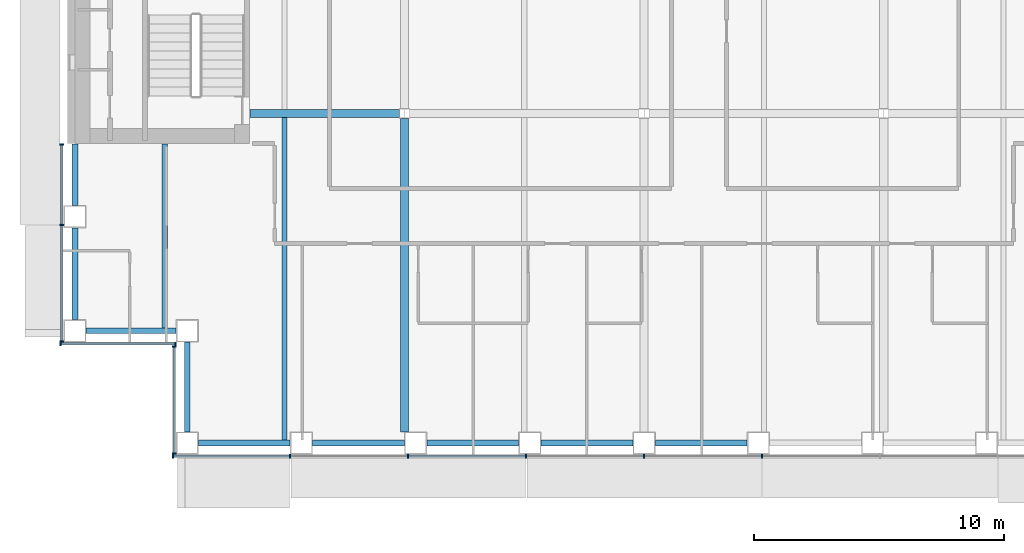
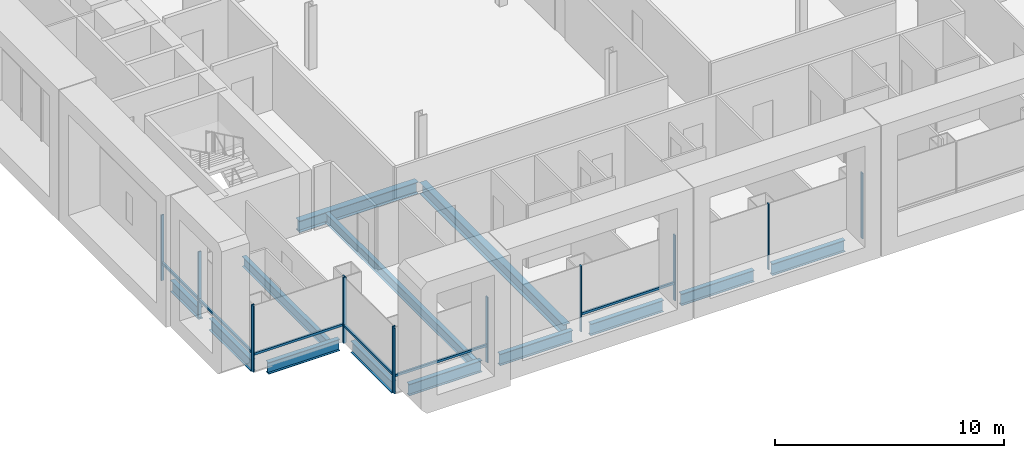
# One storey, part 2 of 20: 19 members, 13 beams, 4 elements without a shape of their own.
"""IFC4 building model written with IfcOpenShell, lengths in metres."""

from ifc_helpers import new_model, si_unit, direction, frame, origin, origin_2d, place, context, subcontext, project, spatial, rectangle, i_section, extrude, material, material_profile, profile_set, type_object, element, aggregate, save


model = new_model("IFC4")

# Units and contexts
model_context = context("Model", 3, precision=1e-05, world=origin(), true_north=direction((0.0, 1.0)))
body_context = subcontext(model_context, "Body", "Model", "MODEL_VIEW")
ifc_project = project(units=[si_unit("LENGTHUNIT", "METRE"), si_unit("AREAUNIT", "SQUARE_METRE"), si_unit("VOLUMEUNIT", "CUBIC_METRE"), si_unit("PLANEANGLEUNIT", "RADIAN"), si_unit("MASSUNIT", "GRAM", prefix="KILO")], contexts=[model_context])

# Site, building, storey
site_placement = place(None, origin())
site = spatial("IfcSite", under=ifc_project, at=site_placement, CompositionType="ELEMENT")
building_placement = place(site_placement, origin())
building = spatial("IfcBuilding", under=site, at=building_placement, Name="Cobrizo Arcos Hotel Tower", CompositionType="ELEMENT")
storey_placement = place(building_placement, frame((0.0, 0.0, 96.0)))
storey = spatial("IfcBuildingStorey", under=building, at=storey_placement, Name="L23", CompositionType="ELEMENT", Elevation=96.0)

# Curtain wall, members
ifc_material_1 = material(Name="Aluminium 6063-T6 anodised bronze", Category="aluminium")
curtain_wall_type = type_object("IfcCurtainWallType", Name="CW-A guest facade", PredefinedType="NOTDEFINED", material=ifc_material_1)
curtain_wall_1_placement = place(storey_placement, origin())
curtain_wall_1 = element("IfcCurtainWall", 1, at=curtain_wall_1_placement, inside=storey, type_object=curtain_wall_type, Name="CW-A L23 S face", PredefinedType="NOTDEFINED")
ifc_material_profile_1 = material_profile(ifc_material_1, rectangle(XDim=0.14990234375, YDim=0.06005859375, at=origin_2d()), Name="CW-A mullion 150x60")
ifc_profile_set_1 = profile_set([ifc_material_profile_1], Name="Aluminium 6063-T6 anodised bronze")
member_type_1 = type_object("IfcMemberType", Name="CW-A mullion 150x60", PredefinedType="MULLION", material=ifc_profile_set_1)
member_1_placement = place(storey_placement, frame((-18.8701171875, -23.324951171875, 0.0), z_axis=(0.0, 0.0, 1.0), x_axis=(0.0, -1.0, 0.0)))
member_1 = element("IfcMember", 2, at=member_1_placement, type_object=member_type_1, Name="CW-A mullion 1", PredefinedType="MULLION", context=body_context, shape_type="SweptSolid", body=[
    extrude(rectangle(XDim=0.14990234375, YDim=0.06005859375, at=origin_2d()), origin(), (0.0, 0.0, 1.0), 3.5),
])
member_2_placement = place(storey_placement, frame((-14.175048828125, -23.324951171875, 0.0), z_axis=(0.0, 0.0, 1.0), x_axis=(0.0, -1.0, 0.0)))
member_2 = element("IfcMember", 3, at=member_2_placement, type_object=member_type_1, Name="CW-A mullion 2", PredefinedType="MULLION", context=body_context, shape_type="SweptSolid", body=[
    extrude(rectangle(XDim=0.14990234375, YDim=0.06005859375, at=origin_2d()), origin(), (0.0, 0.0, 1.0), 3.5),
])
member_3_placement = place(storey_placement, frame((-9.449951171875, -23.324951171875, 0.0), z_axis=(0.0, 0.0, 1.0), x_axis=(0.0, -1.0, 0.0)))
member_3 = element("IfcMember", 4, at=member_3_placement, type_object=member_type_1, Name="CW-A mullion 3", PredefinedType="MULLION", context=body_context, shape_type="SweptSolid", body=[
    extrude(rectangle(XDim=0.14990234375, YDim=0.06005859375, at=origin_2d()), origin(), (0.0, 0.0, 1.0), 3.5),
])
member_4_placement = place(storey_placement, frame((-4.72509765625, -23.324951171875, 0.0), z_axis=(0.0, 0.0, 1.0), x_axis=(0.0, -1.0, 0.0)))
member_4 = element("IfcMember", 5, at=member_4_placement, type_object=member_type_1, Name="CW-A mullion 4", PredefinedType="MULLION", context=body_context, shape_type="SweptSolid", body=[
    extrude(rectangle(XDim=0.14990234375, YDim=0.06005859375, at=origin_2d()), origin(), (0.0, 0.0, 1.0), 3.5),
])
member_5_placement = place(storey_placement, frame((0.0, -23.324951171875, 0.0), z_axis=(0.0, 0.0, 1.0), x_axis=(0.0, -1.0, 0.0)))
member_5 = element("IfcMember", 6, at=member_5_placement, type_object=member_type_1, Name="CW-A mullion 5", PredefinedType="MULLION", context=body_context, shape_type="SweptSolid", body=[
    extrude(rectangle(XDim=0.14990234375, YDim=0.06005859375, at=origin_2d()), origin(), (0.0, 0.0, 1.0), 3.5),
])
member_6_placement = place(storey_placement, frame((4.72509765625, -23.324951171875, 0.0), z_axis=(0.0, 0.0, 1.0), x_axis=(0.0, -1.0, 0.0)))
member_6 = element("IfcMember", 7, at=member_6_placement, type_object=member_type_1, Name="CW-A mullion 6", PredefinedType="MULLION", context=body_context, shape_type="SweptSolid", body=[
    extrude(rectangle(XDim=0.14990234375, YDim=0.06005859375, at=origin_2d()), origin(), (0.0, 0.0, 1.0), 3.5),
])

curtain_wall_2_placement = place(storey_placement, origin())
curtain_wall_2 = element("IfcCurtainWall", 8, at=curtain_wall_2_placement, inside=storey, type_object=curtain_wall_type, Name="CW-A L23 W face", PredefinedType="NOTDEFINED")
member_7_placement = place(storey_placement, frame((-23.324951171875, -10.830078125, 0.0), z_axis=(0.0, 0.0, 1.0), x_axis=(-1.0, 0.0, 0.0)))
member_7 = element("IfcMember", 9, at=member_7_placement, type_object=member_type_1, Name="CW-A mullion 1", PredefinedType="MULLION", context=body_context, shape_type="SweptSolid", body=[
    extrude(rectangle(XDim=0.14990234375, YDim=0.06005859375, at=origin_2d()), origin(), (0.0, 0.0, 1.0), 3.5),
])
member_8_placement = place(storey_placement, frame((-23.324951171875, -14.0625, 0.0), z_axis=(0.0, 0.0, 1.0), x_axis=(-1.0, 0.0, 0.0)))
member_8 = element("IfcMember", 10, at=member_8_placement, type_object=member_type_1, Name="CW-A mullion 2", PredefinedType="MULLION", context=body_context, shape_type="SweptSolid", body=[
    extrude(rectangle(XDim=0.14990234375, YDim=0.06005859375, at=origin_2d()), origin(), (0.0, 0.0, 1.0), 3.5),
])
member_9_placement = place(storey_placement, frame((-23.324951171875, -18.719970703125, 0.0), z_axis=(0.0, 0.0, 1.0), x_axis=(-1.0, 0.0, 0.0)))
member_9 = element("IfcMember", 11, at=member_9_placement, type_object=member_type_1, Name="CW-A mullion 3", PredefinedType="MULLION", context=body_context, shape_type="SweptSolid", body=[
    extrude(rectangle(XDim=0.14990234375, YDim=0.06005859375, at=origin_2d()), origin(), (0.0, 0.0, 1.0), 3.5),
])

curtain_wall_3_placement = place(storey_placement, origin())
curtain_wall_3 = element("IfcCurtainWall", 12, at=curtain_wall_3_placement, inside=storey, type_object=curtain_wall_type, Name="CW-A L23 S face", PredefinedType="NOTDEFINED")
member_10_placement = place(storey_placement, frame((-23.3701171875, -18.824951171875, 0.0), z_axis=(0.0, 0.0, 1.0), x_axis=(0.0, -1.0, 0.0)))
member_10 = element("IfcMember", 13, at=member_10_placement, type_object=member_type_1, Name="CW-A mullion 1", PredefinedType="MULLION", context=body_context, shape_type="SweptSolid", body=[
    extrude(rectangle(XDim=0.14990234375, YDim=0.06005859375, at=origin_2d()), origin(), (0.0, 0.0, 1.0), 3.5),
])
member_11_placement = place(storey_placement, frame((-18.780029296875, -18.824951171875, 0.0), z_axis=(0.0, 0.0, 1.0), x_axis=(0.0, -1.0, 0.0)))
member_11 = element("IfcMember", 14, at=member_11_placement, type_object=member_type_1, Name="CW-A mullion 2", PredefinedType="MULLION", context=body_context, shape_type="SweptSolid", body=[
    extrude(rectangle(XDim=0.14990234375, YDim=0.06005859375, at=origin_2d()), origin(), (0.0, 0.0, 1.0), 3.5),
])

curtain_wall_4_placement = place(storey_placement, origin())
curtain_wall_4 = element("IfcCurtainWall", 15, at=curtain_wall_4_placement, inside=storey, type_object=curtain_wall_type, Name="CW-A L23 W face", PredefinedType="NOTDEFINED")
member_12_placement = place(storey_placement, frame((-18.824951171875, -18.929931640625, 0.0), z_axis=(0.0, 0.0, 1.0), x_axis=(-1.0, 0.0, 0.0)))
member_12 = element("IfcMember", 16, at=member_12_placement, type_object=member_type_1, Name="CW-A mullion 1", PredefinedType="MULLION", context=body_context, shape_type="SweptSolid", body=[
    extrude(rectangle(XDim=0.14990234375, YDim=0.06005859375, at=origin_2d()), origin(), (0.0, 0.0, 1.0), 3.5),
])
member_13_placement = place(storey_placement, frame((-18.824951171875, -23.219970703125, 0.0), z_axis=(0.0, 0.0, 1.0), x_axis=(-1.0, 0.0, 0.0)))
member_13 = element("IfcMember", 17, at=member_13_placement, type_object=member_type_1, Name="CW-A mullion 2", PredefinedType="MULLION", context=body_context, shape_type="SweptSolid", body=[
    extrude(rectangle(XDim=0.14990234375, YDim=0.06005859375, at=origin_2d()), origin(), (0.0, 0.0, 1.0), 3.5),
])

# Member
ifc_material_profile_2 = material_profile(ifc_material_1, rectangle(XDim=0.10009765625, YDim=0.1201171875, at=origin_2d()), Name="CW-A transom 120x100")
ifc_profile_set_2 = profile_set([ifc_material_profile_2], Name="Aluminium 6063-T6 anodised bronze")
member_type_2 = type_object("IfcMemberType", Name="CW-A transom 120x100", PredefinedType="USERDEFINED", material=ifc_profile_set_2)
member_14_placement = place(storey_placement, frame((-18.840087890625, -23.324951171875, 0.929931640625), z_axis=(1.0, 0.0, 0.0), x_axis=(0.0, 1.0, 0.0)))
member_14 = element("IfcMember", 18, at=member_14_placement, type_object=member_type_2, Name="CW-A transom 915", ObjectType="TRANSOM", PredefinedType="USERDEFINED", context=body_context, shape_type="SweptSolid", body=[
    extrude(rectangle(XDim=0.10009765625, YDim=0.1201171875, at=origin_2d()), origin(), (0.0, 0.0, 1.0), 4.635009765625),
])

member_15_placement = place(storey_placement, frame((-9.419921875, -23.324951171875, 0.929931640625), z_axis=(1.0, 0.0, 0.0), x_axis=(0.0, 1.0, 0.0)))
member_15 = element("IfcMember", 19, at=member_15_placement, type_object=member_type_2, Name="CW-A transom 917", ObjectType="TRANSOM", PredefinedType="USERDEFINED", context=body_context, shape_type="SweptSolid", body=[
    extrude(rectangle(XDim=0.10009765625, YDim=0.1201171875, at=origin_2d()), origin(), (0.0, 0.0, 1.0), 4.6650390625),
])

aggregate(curtain_wall_1, [member_1, member_2, member_3, member_4, member_5, member_6, member_14, member_15])

member_16_placement = place(storey_placement, frame((-23.324951171875, -10.860107421875, 0.929931640625), z_axis=(0.0, -1.0, 0.0), x_axis=(1.0, 0.0, 0.0)))
member_16 = element("IfcMember", 20, at=member_16_placement, type_object=member_type_2, Name="CW-A transom 943", ObjectType="TRANSOM", PredefinedType="USERDEFINED", context=body_context, shape_type="SweptSolid", body=[
    extrude(rectangle(XDim=0.10009765625, YDim=0.1201171875, at=origin_2d()), origin(), (0.0, 0.0, 1.0), 3.17236328125),
])

member_17_placement = place(storey_placement, frame((-23.324951171875, -14.092529296875, 0.929931640625), z_axis=(0.0, -1.0, 0.0), x_axis=(1.0, 0.0, 0.0)))
member_17 = element("IfcMember", 21, at=member_17_placement, type_object=member_type_2, Name="CW-A transom 944", ObjectType="TRANSOM", PredefinedType="USERDEFINED", context=body_context, shape_type="SweptSolid", body=[
    extrude(rectangle(XDim=0.10009765625, YDim=0.1201171875, at=origin_2d()), origin(), (0.0, 0.0, 1.0), 4.597412109375),
])

aggregate(curtain_wall_2, [member_7, member_8, member_9, member_16, member_17])

member_18_placement = place(storey_placement, frame((-23.340087890625, -18.824951171875, 0.929931640625), z_axis=(1.0, 0.0, 0.0), x_axis=(0.0, 1.0, 0.0)))
member_18 = element("IfcMember", 22, at=member_18_placement, type_object=member_type_2, Name="CW-A transom 945", ObjectType="TRANSOM", PredefinedType="USERDEFINED", context=body_context, shape_type="SweptSolid", body=[
    extrude(rectangle(XDim=0.10009765625, YDim=0.1201171875, at=origin_2d()), origin(), (0.0, 0.0, 1.0), 4.530029296875),
])

aggregate(curtain_wall_3, [member_10, member_11, member_18])

member_19_placement = place(storey_placement, frame((-18.824951171875, -18.9599609375, 0.929931640625), z_axis=(0.0, -1.0, 0.0), x_axis=(1.0, 0.0, 0.0)))
member_19 = element("IfcMember", 23, at=member_19_placement, type_object=member_type_2, Name="CW-A transom 946", ObjectType="TRANSOM", PredefinedType="USERDEFINED", context=body_context, shape_type="SweptSolid", body=[
    extrude(rectangle(XDim=0.10009765625, YDim=0.1201171875, at=origin_2d()), origin(), (0.0, 0.0, 1.0), 4.22998046875),
])

aggregate(curtain_wall_4, [member_12, member_13, member_19])

# Beams
ifc_material_2 = material(Name="Steel ASTM A992 Grade 50", Category="steel")
ifc_material_profile_3 = material_profile(ifc_material_2, i_section(OverallWidth=0.209228515625, OverallDepth=0.533447265625, WebThickness=0.01025390625, FlangeThickness=0.015625, at=origin_2d()), Name="W21X62")
ifc_profile_set_3 = profile_set([ifc_material_profile_3], Name="Steel ASTM A992 Grade 50")
beam_type_1 = type_object("IfcBeamType", Name="W21X62 joist", PredefinedType="JOIST", material=ifc_profile_set_3)
beam_1_placement = place(storey_placement, frame((-19.199951171875, -18.2099609375, -0.416748046875), z_axis=(0.0, 1.0, 0.0), x_axis=(-1.0, 0.0, 0.0)))
element("IfcBeam", 24, at=beam_1_placement, inside=storey, type_object=beam_type_1, Name="Floor joist J1, L23, no. 001", PredefinedType="JOIST", context=body_context, shape_type="SweptSolid", body=[
    extrude(i_section(OverallWidth=0.209228515625, OverallDepth=0.533447265625, WebThickness=0.01025390625, FlangeThickness=0.015625, at=origin_2d()), origin(), (0.0, 0.0, 1.0), 7.39990234375),
])
beam_2_placement = place(storey_placement, frame((-14.39990234375, -22.7099609375, -0.416748046875), z_axis=(0.0, 1.0, 0.0), x_axis=(-1.0, 0.0, 0.0)))
element("IfcBeam", 25, at=beam_2_placement, inside=storey, type_object=beam_type_1, Name="Floor joist J1, L23, no. 003", PredefinedType="JOIST", context=body_context, shape_type="SweptSolid", body=[
    extrude(i_section(OverallWidth=0.209228515625, OverallDepth=0.533447265625, WebThickness=0.01025390625, FlangeThickness=0.015625, at=origin_2d()), origin(), (0.0, 0.0, 1.0), 12.946044921875),
])
ifc_material_profile_4 = material_profile(ifc_material_2, i_section(OverallWidth=0.32763671875, OverallDepth=0.622314453125, WebThickness=0.015380859375, FlangeThickness=0.0244140625, at=origin_2d()), Name="W24X131")
ifc_profile_set_4 = profile_set([ifc_material_profile_4], Name="Steel ASTM A992 Grade 50")
beam_type_2 = type_object("IfcBeamType", Name="W24X131 girder", PredefinedType="BEAM", material=ifc_profile_set_4)
beam_3_placement = place(storey_placement, frame((-15.7900390625, -9.60009765625, -0.461181640625), z_axis=(1.0, 0.0, 0.0), x_axis=(0.0, 1.0, 0.0)))
element("IfcBeam", 26, at=beam_3_placement, inside=storey, type_object=beam_type_2, Name="Floor girder G1, L23, no. 001", PredefinedType="BEAM", context=body_context, shape_type="SweptSolid", body=[
    extrude(i_section(OverallWidth=0.32763671875, OverallDepth=0.622314453125, WebThickness=0.015380859375, FlangeThickness=0.0244140625, at=origin_2d()), origin(), (0.0, 0.0, 1.0), 5.99072265625),
])
beam_4_placement = place(storey_placement, frame((-9.60009765625, -22.35009765625, -0.461181640625), z_axis=(0.0, 1.0, 0.0), x_axis=(-1.0, 0.0, 0.0)))
element("IfcBeam", 27, at=beam_4_placement, inside=storey, type_object=beam_type_2, Name="Floor girder G1, L23, no. 013", PredefinedType="BEAM", context=body_context, shape_type="SweptSolid", body=[
    extrude(i_section(OverallWidth=0.32763671875, OverallDepth=0.622314453125, WebThickness=0.015380859375, FlangeThickness=0.0244140625, at=origin_2d()), origin(), (0.0, 0.0, 1.0), 12.55078125),
])
ifc_material_profile_5 = material_profile(ifc_material_2, i_section(OverallWidth=0.23046875, OverallDepth=0.6171875, WebThickness=0.01318359375, FlangeThickness=0.022216796875, at=origin_2d()), Name="W24X94")
ifc_profile_set_5 = profile_set([ifc_material_profile_5], Name="Steel ASTM A992 Grade 50")
beam_type_3 = type_object("IfcBeamType", Name="W24X94 spandrel", PredefinedType="SPANDREL", material=ifc_profile_set_5)
beam_5_placement = place(storey_placement, frame((-17.85009765625, -22.800048828125, -0.45849609375), z_axis=(1.0, 0.0, 0.0), x_axis=(0.0, 1.0, 0.0)))
element("IfcBeam", 28, at=beam_5_placement, inside=storey, type_object=beam_type_3, Name="Spandrel beam W24X94, L23, no. 001", PredefinedType="SPANDREL", context=body_context, shape_type="SweptSolid", body=[
    extrude(i_section(OverallWidth=0.23046875, OverallDepth=0.6171875, WebThickness=0.01318359375, FlangeThickness=0.022216796875, at=origin_2d()), origin(), (0.0, 0.0, 1.0), 3.675048828125),
])
beam_6_placement = place(storey_placement, frame((-13.27490234375, -22.800048828125, -0.45849609375), z_axis=(1.0, 0.0, 0.0), x_axis=(0.0, 1.0, 0.0)))
element("IfcBeam", 29, at=beam_6_placement, inside=storey, type_object=beam_type_3, Name="Spandrel beam W24X94, L23, no. 002", PredefinedType="SPANDREL", context=body_context, shape_type="SweptSolid", body=[
    extrude(i_section(OverallWidth=0.23046875, OverallDepth=0.6171875, WebThickness=0.01318359375, FlangeThickness=0.022216796875, at=origin_2d()), origin(), (0.0, 0.0, 1.0), 3.6748046875),
])
for number, where, z_axis, x_axis, name in (
    (30, (-8.699951171875, -22.800048828125, -0.45849609375), (1.0, 0.0, 0.0), (0.0, 1.0, 0.0), "Spandrel beam W24X94, L23, no. 003"),
    (31, (-4.125, -22.800048828125, -0.45849609375), (1.0, 0.0, 0.0), (0.0, 1.0, 0.0), "Spandrel beam W24X94, L23, no. 004"),
    (32, (0.449951171875, -22.800048828125, -0.45849609375), (1.0, 0.0, 0.0), (0.0, 1.0, 0.0), "Spandrel beam W24X94, L23, no. 005"),
):
    element("IfcBeam", number, at=place(storey_placement, frame(where, z_axis=z_axis, x_axis=x_axis)), inside=storey, type_object=beam_type_3, Name=name, PredefinedType="SPANDREL", context=body_context, shape_type="SweptSolid", body=[
        extrude(i_section(OverallWidth=0.23046875, OverallDepth=0.6171875, WebThickness=0.01318359375, FlangeThickness=0.022216796875, at=origin_2d()), origin(), (0.0, 0.0, 1.0), 3.675048828125),
    ])
beam_7_placement = place(storey_placement, frame((-22.800048828125, -10.81005859375, -0.45849609375), z_axis=(0.0, -1.0, 0.0), x_axis=(1.0, 0.0, 0.0)))
element("IfcBeam", 33, at=beam_7_placement, inside=storey, type_object=beam_type_3, Name="Spandrel beam W24X94, L23, no. 029", PredefinedType="SPANDREL", context=body_context, shape_type="SweptSolid", body=[
    extrude(i_section(OverallWidth=0.23046875, OverallDepth=0.6171875, WebThickness=0.01318359375, FlangeThickness=0.022216796875, at=origin_2d()), origin(), (0.0, 0.0, 1.0), 2.46484375),
])
beam_8_placement = place(storey_placement, frame((-22.800048828125, -14.175048828125, -0.45849609375), z_axis=(0.0, -1.0, 0.0), x_axis=(1.0, 0.0, 0.0)))
element("IfcBeam", 34, at=beam_8_placement, inside=storey, type_object=beam_type_3, Name="Spandrel beam W24X94, L23, no. 030", PredefinedType="SPANDREL", context=body_context, shape_type="SweptSolid", body=[
    extrude(i_section(OverallWidth=0.23046875, OverallDepth=0.6171875, WebThickness=0.01318359375, FlangeThickness=0.022216796875, at=origin_2d()), origin(), (0.0, 0.0, 1.0), 3.675048828125),
])
for number, where, z_axis, x_axis, name in (
    (35, (-22.35009765625, -18.300048828125, -0.45849609375), (1.0, 0.0, 0.0), (0.0, 1.0, 0.0), "Spandrel beam W24X94, L23, no. 031"),
    (36, (-18.300048828125, -18.75, -0.45849609375), (0.0, -1.0, 0.0), (1.0, 0.0, 0.0), "Spandrel beam W24X94, L23, no. 032"),
):
    element("IfcBeam", number, at=place(storey_placement, frame(where, z_axis=z_axis, x_axis=x_axis)), inside=storey, type_object=beam_type_3, Name=name, PredefinedType="SPANDREL", context=body_context, shape_type="SweptSolid", body=[
        extrude(i_section(OverallWidth=0.23046875, OverallDepth=0.6171875, WebThickness=0.01318359375, FlangeThickness=0.022216796875, at=origin_2d()), origin(), (0.0, 0.0, 1.0), 3.60009765625),
    ])

save(model, "model.ifc")
